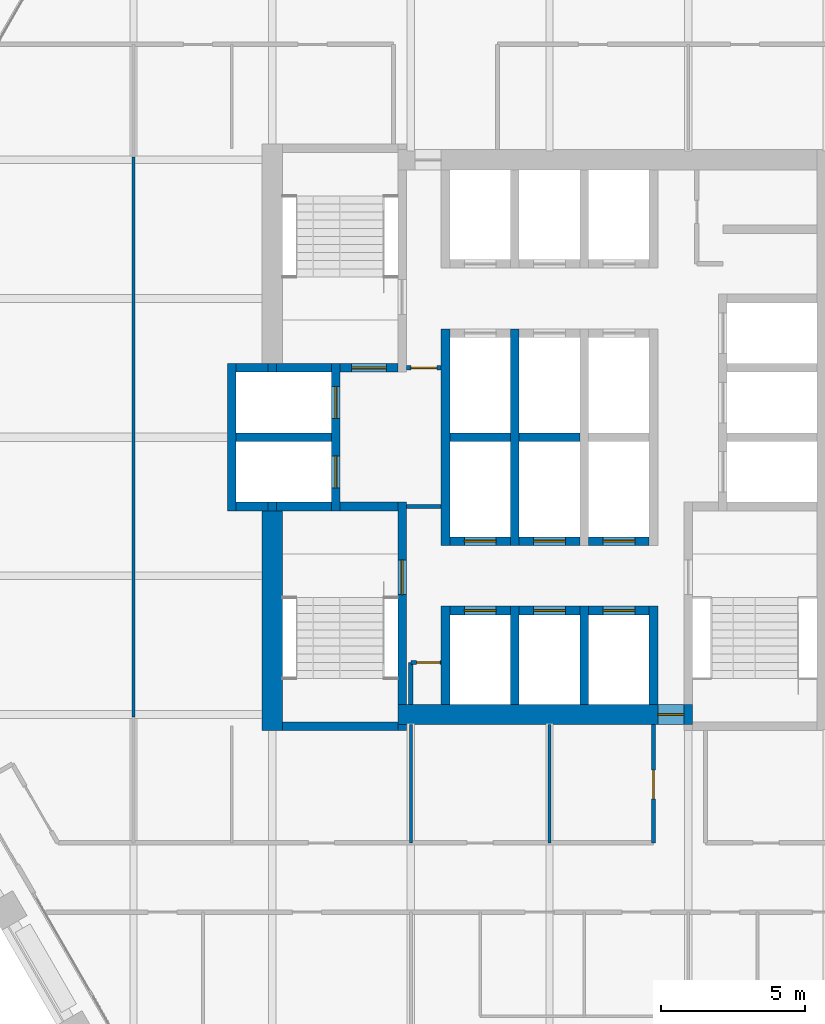
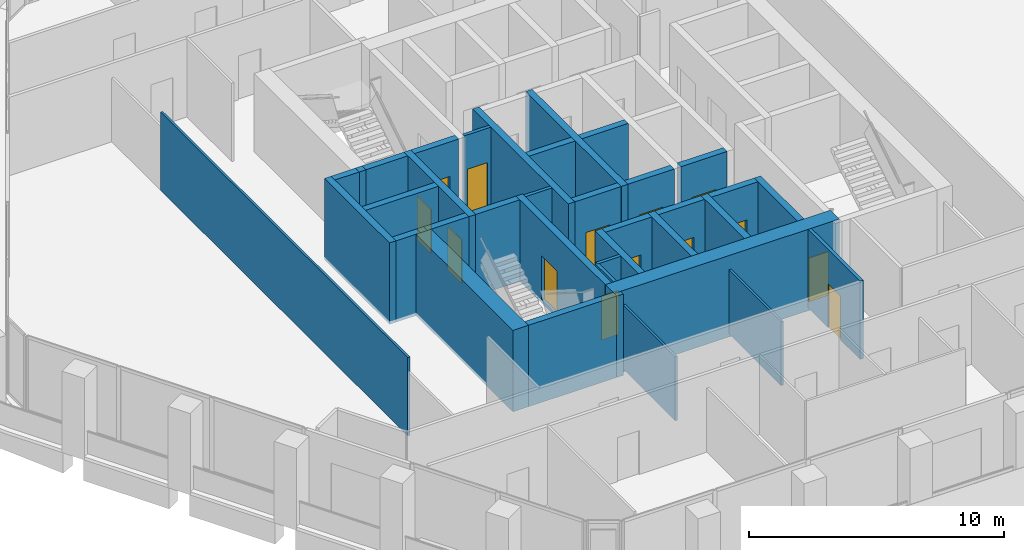
# One storey, part 10 of 16: 38 walls, 14 doors, 14 openings.
"""IFC4 building model written with IfcOpenShell, lengths in metres."""

from ifc_helpers import new_model, si_unit, direction, frame, frame_2d, origin, place, context, subcontext, project, spatial, rectangle, extrude, material, layer, layer_set, type_object, element, fill, save


model = new_model("IFC4")

# Units and contexts
model_context = context("Model", 3, precision=1e-05, world=origin(), true_north=direction((0.0, 1.0)))
body_context = subcontext(model_context, "Body", "Model", "MODEL_VIEW")
ifc_project = project(units=[si_unit("LENGTHUNIT", "METRE"), si_unit("AREAUNIT", "SQUARE_METRE"), si_unit("VOLUMEUNIT", "CUBIC_METRE"), si_unit("PLANEANGLEUNIT", "RADIAN"), si_unit("MASSUNIT", "GRAM", prefix="KILO")], contexts=[model_context])

# Site, building, storey
site_placement = place(None, origin())
site = spatial("IfcSite", under=ifc_project, at=site_placement, CompositionType="ELEMENT")
building_placement = place(site_placement, origin())
building = spatial("IfcBuilding", under=site, at=building_placement, Name="Kolab Exchange Tower", CompositionType="ELEMENT")
storey_placement = place(building_placement, frame((0.0, 0.0, 177.800048828125)))
storey = spatial("IfcBuildingStorey", under=building, at=storey_placement, Name="L37", CompositionType="ELEMENT", Elevation=177.800048828125)

# Wall, opening, door
ifc_material_1 = material(Name="Concrete C60/75", Category="concrete")
ifc_layer_1 = layer(ifc_material_1, 0.699951171875)
ifc_layer_set_1 = layer_set([ifc_layer_1], Name="Concrete C60/75")
wall_type_1 = type_object("IfcWallType", Name="CORE WALL 700 C60/75", PredefinedType="SHEAR", material=ifc_layer_set_1)
wall_1_placement = place(storey_placement, frame((-5.25, -9.60009765625, -0.150146484375), z_axis=(0.0, 0.0, 1.0), x_axis=(1.0, 0.0, 0.0)))
wall_1 = element("IfcWall", 1, at=wall_1_placement, inside=storey, type_object=wall_type_1, Name="wall/L37/core/002", PredefinedType="SHEAR", context=body_context, shape_type="SweptSolid", body=[
    extrude(rectangle(XDim=10.199951171875, YDim=0.699951171875, at=frame_2d((5.10009765625, 0.0))), origin(), (0.0, 0.0, 1.0), 3.900146484375),
])
opening_1_placement = place(wall_1_placement, frame((9.0, 0.0, 0.14990234375)))
opening_1 = element("IfcOpeningElement", 2, at=opening_1_placement, cuts=wall_1, Name="Opening D6-287", PredefinedType="OPENING", context=body_context, shape_type="SweptSolid", body=[
    extrude(rectangle(XDim=0.89990234375, YDim=2.10009765625, at=frame_2d((0.449951171875, 1.050048828125))), frame((0.0, 0.35986328125, 0.0), z_axis=(0.0, -1.0, 0.0), x_axis=(1.0, 0.0, 0.0)), (0.0, 0.0, 1.0), 0.719970703125),
])
ifc_material_2 = material(Name="Steel S235", Category="steel")
door_type_1 = type_object("IfcDoorType", Name="CORE DOOR 900 EI 120", OperationType="SINGLE_SWING_LEFT", PredefinedType="DOOR", material=ifc_material_2)
door_1_placement = place(opening_1_placement, origin())
door_1 = element("IfcDoor", 3, at=door_1_placement, inside=storey, type_object=door_type_1, Name="Core lobby door", OperationType="SINGLE_SWING_LEFT", OverallHeight=2.10009765625, OverallWidth=0.89990234375, PredefinedType="DOOR", context=body_context, shape_type="SweptSolid", body=[
    extrude(rectangle(XDim=0.89990234375, YDim=2.10009765625, at=frame_2d((0.449951171875, 1.050048828125))), frame((0.0, 0.02490234375, 0.0), z_axis=(0.0, -1.0, 0.0), x_axis=(1.0, 0.0, 0.0)), (0.0, 0.0, 1.0), 0.050048828125),
])
fill(opening_1, door_1)

# Wall
wall_2_placement = place(storey_placement, frame((-9.60009765625, -10.14990234375, -0.150146484375), z_axis=(0.0, 0.0, 1.0), x_axis=(0.0, 1.0, 0.0)))
element("IfcWall", 4, at=wall_2_placement, inside=storey, type_object=wall_type_1, Name="wall/L37/core/034", PredefinedType="SHEAR", context=body_context, shape_type="SweptSolid", body=[
    extrude(rectangle(XDim=7.599853515625, YDim=0.699951171875, at=frame_2d((3.7998046875, 0.0))), origin(), (0.0, 0.0, 1.0), 3.900146484375),
])

# Wall, opening, door
ifc_material_3 = material(Name="Concrete C50/60", Category="concrete")
ifc_layer_2 = layer(ifc_material_3, 0.300048828125)
ifc_layer_set_2 = layer_set([ifc_layer_2], Name="Concrete C50/60")
wall_type_2 = type_object("IfcWallType", Name="LIFT SHAFT WALL 300 C50/60", PredefinedType="STANDARD", material=ifc_layer_set_2)
wall_3_placement = place(storey_placement, frame((-3.449951171875, -6.0, -0.150146484375), z_axis=(0.0, 0.0, 1.0), x_axis=(1.0, 0.0, 0.0)))
wall_3 = element("IfcWall", 5, at=wall_3_placement, inside=storey, type_object=wall_type_2, Name="wall/L37/core/003", PredefinedType="STANDARD", context=body_context, shape_type="SweptSolid", body=[
    extrude(rectangle(XDim=2.099853515625, YDim=0.300048828125, at=frame_2d((1.0498046875, 0.0))), origin(), (0.0, 0.0, 1.0), 3.900146484375),
])
opening_2_placement = place(wall_3_placement, frame((0.5, 0.0, 0.14990234375)))
opening_2 = element("IfcOpeningElement", 6, at=opening_2_placement, cuts=wall_3, Name="Opening LD1-110", PredefinedType="OPENING", context=body_context, shape_type="SweptSolid", body=[
    extrude(rectangle(XDim=1.10009765625, YDim=2.10009765625, at=frame_2d((0.550048828125, 1.050048828125))), frame((0.0, 0.16015625, 0.0), z_axis=(0.0, -1.0, 0.0), x_axis=(1.0, 0.0, 0.0)), (0.0, 0.0, 1.0), 0.320068359375),
])
ifc_material_4 = material(Name="Stainless steel 316", Category="steel")
door_type_2 = type_object("IfcDoorType", Name="LANDING DOOR 1100 PASSENGER", OperationType="DOUBLE_DOOR_SLIDING", PredefinedType="DOOR", material=ifc_material_4)
door_2_placement = place(opening_2_placement, origin())
door_2 = element("IfcDoor", 7, at=door_2_placement, inside=storey, type_object=door_type_2, Name="Landing door HR10", OperationType="DOUBLE_DOOR_SLIDING", OverallHeight=2.10009765625, OverallWidth=1.10009765625, PredefinedType="DOOR", context=body_context, shape_type="SweptSolid", body=[
    extrude(rectangle(XDim=1.10009765625, YDim=2.10009765625, at=frame_2d((0.550048828125, 1.050048828125))), frame((0.0, 0.02490234375, 0.0), z_axis=(0.0, -1.0, 0.0), x_axis=(1.0, 0.0, 0.0)), (0.0, 0.0, 1.0), 0.050048828125),
])
fill(opening_2, door_2)

wall_4_placement = place(storey_placement, frame((-1.050048828125, -6.0, -0.150146484375), z_axis=(0.0, 0.0, 1.0), x_axis=(1.0, 0.0, 0.0)))
wall_4 = element("IfcWall", 8, at=wall_4_placement, inside=storey, type_object=wall_type_2, Name="wall/L37/core/004", PredefinedType="STANDARD", context=body_context, shape_type="SweptSolid", body=[
    extrude(rectangle(XDim=2.10009765625, YDim=0.300048828125, at=frame_2d((1.050048828125, 0.0))), origin(), (0.0, 0.0, 1.0), 3.900146484375),
])
opening_3_placement = place(wall_4_placement, frame((0.5, 0.0, 0.14990234375)))
opening_3 = element("IfcOpeningElement", 9, at=opening_3_placement, cuts=wall_4, Name="Opening LD1-111", PredefinedType="OPENING", context=body_context, shape_type="SweptSolid", body=[
    extrude(rectangle(XDim=1.10009765625, YDim=2.10009765625, at=frame_2d((0.550048828125, 1.050048828125))), frame((0.0, 0.16015625, 0.0), z_axis=(0.0, -1.0, 0.0), x_axis=(1.0, 0.0, 0.0)), (0.0, 0.0, 1.0), 0.320068359375),
])
door_3_placement = place(opening_3_placement, origin())
door_3 = element("IfcDoor", 10, at=door_3_placement, inside=storey, type_object=door_type_2, Name="Landing door HR11", OperationType="DOUBLE_DOOR_SLIDING", OverallHeight=2.10009765625, OverallWidth=1.10009765625, PredefinedType="DOOR", context=body_context, shape_type="SweptSolid", body=[
    extrude(rectangle(XDim=1.10009765625, YDim=2.10009765625, at=frame_2d((0.550048828125, 1.050048828125))), frame((0.0, 0.02490234375, 0.0), z_axis=(0.0, -1.0, 0.0), x_axis=(1.0, 0.0, 0.0)), (0.0, 0.0, 1.0), 0.050048828125),
])
fill(opening_3, door_3)

wall_5_placement = place(storey_placement, frame((1.35009765625, -6.0, -0.150146484375), z_axis=(0.0, 0.0, 1.0), x_axis=(1.0, 0.0, 0.0)))
wall_5 = element("IfcWall", 11, at=wall_5_placement, inside=storey, type_object=wall_type_2, Name="wall/L37/core/005", PredefinedType="STANDARD", context=body_context, shape_type="SweptSolid", body=[
    extrude(rectangle(XDim=2.099853515625, YDim=0.300048828125, at=frame_2d((1.0498046875, 0.0))), origin(), (0.0, 0.0, 1.0), 3.900146484375),
])
opening_4_placement = place(wall_5_placement, frame((0.5, 0.0, 0.14990234375)))
opening_4 = element("IfcOpeningElement", 12, at=opening_4_placement, cuts=wall_5, Name="Opening LD1-112", PredefinedType="OPENING", context=body_context, shape_type="SweptSolid", body=[
    extrude(rectangle(XDim=1.10009765625, YDim=2.10009765625, at=frame_2d((0.550048828125, 1.050048828125))), frame((0.0, 0.16015625, 0.0), z_axis=(0.0, -1.0, 0.0), x_axis=(1.0, 0.0, 0.0)), (0.0, 0.0, 1.0), 0.320068359375),
])
door_4_placement = place(opening_4_placement, origin())
door_4 = element("IfcDoor", 13, at=door_4_placement, inside=storey, type_object=door_type_2, Name="Landing door HR12", OperationType="DOUBLE_DOOR_SLIDING", OverallHeight=2.10009765625, OverallWidth=1.10009765625, PredefinedType="DOOR", context=body_context, shape_type="SweptSolid", body=[
    extrude(rectangle(XDim=1.10009765625, YDim=2.10009765625, at=frame_2d((0.550048828125, 1.050048828125))), frame((0.0, 0.02490234375, 0.0), z_axis=(0.0, -1.0, 0.0), x_axis=(1.0, 0.0, 0.0)), (0.0, 0.0, 1.0), 0.050048828125),
])
fill(opening_4, door_4)

wall_6_placement = place(storey_placement, frame((-3.449951171875, -3.60009765625, -0.150146484375), z_axis=(0.0, 0.0, 1.0), x_axis=(1.0, 0.0, 0.0)))
wall_6 = element("IfcWall", 14, at=wall_6_placement, inside=storey, type_object=wall_type_2, Name="wall/L37/core/006", PredefinedType="STANDARD", context=body_context, shape_type="SweptSolid", body=[
    extrude(rectangle(XDim=2.099853515625, YDim=0.300048828125, at=frame_2d((1.0498046875, 0.0))), origin(), (0.0, 0.0, 1.0), 3.900146484375),
])
opening_5_placement = place(wall_6_placement, frame((0.5, 0.0, 0.14990234375)))
opening_5 = element("IfcOpeningElement", 15, at=opening_5_placement, cuts=wall_6, Name="Opening LD1-118", PredefinedType="OPENING", context=body_context, shape_type="SweptSolid", body=[
    extrude(rectangle(XDim=1.10009765625, YDim=2.10009765625, at=frame_2d((0.550048828125, 1.050048828125))), frame((0.0, 0.16015625, 0.0), z_axis=(0.0, -1.0, 0.0), x_axis=(1.0, 0.0, 0.0)), (0.0, 0.0, 1.0), 0.320068359375),
])
door_5_placement = place(opening_5_placement, origin())
door_5 = element("IfcDoor", 16, at=door_5_placement, inside=storey, type_object=door_type_2, Name="Landing door HR7", OperationType="DOUBLE_DOOR_SLIDING", OverallHeight=2.10009765625, OverallWidth=1.10009765625, PredefinedType="DOOR", context=body_context, shape_type="SweptSolid", body=[
    extrude(rectangle(XDim=1.10009765625, YDim=2.10009765625, at=frame_2d((0.550048828125, 1.050048828125))), frame((0.0, 0.02490234375, 0.0), z_axis=(0.0, -1.0, 0.0), x_axis=(1.0, 0.0, 0.0)), (0.0, 0.0, 1.0), 0.050048828125),
])
fill(opening_5, door_5)

wall_7_placement = place(storey_placement, frame((-1.050048828125, -3.60009765625, -0.150146484375), z_axis=(0.0, 0.0, 1.0), x_axis=(1.0, 0.0, 0.0)))
wall_7 = element("IfcWall", 17, at=wall_7_placement, inside=storey, type_object=wall_type_2, Name="wall/L37/core/007", PredefinedType="STANDARD", context=body_context, shape_type="SweptSolid", body=[
    extrude(rectangle(XDim=2.10009765625, YDim=0.300048828125, at=frame_2d((1.050048828125, 0.0))), origin(), (0.0, 0.0, 1.0), 3.900146484375),
])
opening_6_placement = place(wall_7_placement, frame((0.5, 0.0, 0.14990234375)))
opening_6 = element("IfcOpeningElement", 18, at=opening_6_placement, cuts=wall_7, Name="Opening LD1-119", PredefinedType="OPENING", context=body_context, shape_type="SweptSolid", body=[
    extrude(rectangle(XDim=1.10009765625, YDim=2.10009765625, at=frame_2d((0.550048828125, 1.050048828125))), frame((0.0, 0.16015625, 0.0), z_axis=(0.0, -1.0, 0.0), x_axis=(1.0, 0.0, 0.0)), (0.0, 0.0, 1.0), 0.320068359375),
])
door_6_placement = place(opening_6_placement, origin())
door_6 = element("IfcDoor", 19, at=door_6_placement, inside=storey, type_object=door_type_2, Name="Landing door HR8", OperationType="DOUBLE_DOOR_SLIDING", OverallHeight=2.10009765625, OverallWidth=1.10009765625, PredefinedType="DOOR", context=body_context, shape_type="SweptSolid", body=[
    extrude(rectangle(XDim=1.10009765625, YDim=2.10009765625, at=frame_2d((0.550048828125, 1.050048828125))), frame((0.0, 0.02490234375, 0.0), z_axis=(0.0, -1.0, 0.0), x_axis=(1.0, 0.0, 0.0)), (0.0, 0.0, 1.0), 0.050048828125),
])
fill(opening_6, door_6)

wall_8_placement = place(storey_placement, frame((1.35009765625, -3.60009765625, -0.150146484375), z_axis=(0.0, 0.0, 1.0), x_axis=(1.0, 0.0, 0.0)))
wall_8 = element("IfcWall", 20, at=wall_8_placement, inside=storey, type_object=wall_type_2, Name="wall/L37/core/008", PredefinedType="STANDARD", context=body_context, shape_type="SweptSolid", body=[
    extrude(rectangle(XDim=2.099853515625, YDim=0.300048828125, at=frame_2d((1.0498046875, 0.0))), origin(), (0.0, 0.0, 1.0), 3.900146484375),
])
opening_7_placement = place(wall_8_placement, frame((0.5, 0.0, 0.14990234375)))
opening_7 = element("IfcOpeningElement", 21, at=opening_7_placement, cuts=wall_8, Name="Opening LD1-120", PredefinedType="OPENING", context=body_context, shape_type="SweptSolid", body=[
    extrude(rectangle(XDim=1.10009765625, YDim=2.10009765625, at=frame_2d((0.550048828125, 1.050048828125))), frame((0.0, 0.16015625, 0.0), z_axis=(0.0, -1.0, 0.0), x_axis=(1.0, 0.0, 0.0)), (0.0, 0.0, 1.0), 0.320068359375),
])
door_7_placement = place(opening_7_placement, origin())
door_7 = element("IfcDoor", 22, at=door_7_placement, inside=storey, type_object=door_type_2, Name="Landing door HR9", OperationType="DOUBLE_DOOR_SLIDING", OverallHeight=2.10009765625, OverallWidth=1.10009765625, PredefinedType="DOOR", context=body_context, shape_type="SweptSolid", body=[
    extrude(rectangle(XDim=1.10009765625, YDim=2.10009765625, at=frame_2d((0.550048828125, 1.050048828125))), frame((0.0, 0.02490234375, 0.0), z_axis=(0.0, -1.0, 0.0), x_axis=(1.0, 0.0, 0.0)), (0.0, 0.0, 1.0), 0.050048828125),
])
fill(opening_7, door_7)

# Walls
wall_9_placement = place(storey_placement, frame((-10.85009765625, -2.39990234375, -0.150146484375), z_axis=(0.0, 0.0, 1.0), x_axis=(1.0, 0.0, 0.0)))
element("IfcWall", 23, at=wall_9_placement, inside=storey, type_object=wall_type_2, Name="wall/L37/core/009", PredefinedType="STANDARD", context=body_context, shape_type="SweptSolid", body=[
    extrude(rectangle(XDim=1.10009765625, YDim=0.300048828125, at=frame_2d((0.550048828125, 0.0))), origin(), (0.0, 0.0, 1.0), 3.900146484375),
])
wall_10_placement = place(storey_placement, frame((-10.85009765625, 0.0, -0.150146484375), z_axis=(0.0, 0.0, 1.0), x_axis=(1.0, 0.0, 0.0)))
element("IfcWall", 24, at=wall_10_placement, inside=storey, type_object=wall_type_2, Name="wall/L37/core/014", PredefinedType="STANDARD", context=body_context, shape_type="SweptSolid", body=[
    extrude(rectangle(XDim=3.300048828125, YDim=0.300048828125, at=frame_2d((1.64990234375, 0.0))), origin(), (0.0, 0.0, 1.0), 3.900146484375),
])
wall_11_placement = place(storey_placement, frame((-3.449951171875, 0.0, -0.150146484375), z_axis=(0.0, 0.0, 1.0), x_axis=(1.0, 0.0, 0.0)))
element("IfcWall", 25, at=wall_11_placement, inside=storey, type_object=wall_type_2, Name="wall/L37/core/015", PredefinedType="STANDARD", context=body_context, shape_type="SweptSolid", body=[
    extrude(rectangle(XDim=2.099853515625, YDim=0.300048828125, at=frame_2d((1.0498046875, 0.0))), origin(), (0.0, 0.0, 1.0), 3.900146484375),
])
wall_12_placement = place(storey_placement, frame((-1.050048828125, 0.0, -0.150146484375), z_axis=(0.0, 0.0, 1.0), x_axis=(1.0, 0.0, 0.0)))
element("IfcWall", 26, at=wall_12_placement, inside=storey, type_object=wall_type_2, Name="wall/L37/core/016", PredefinedType="STANDARD", context=body_context, shape_type="SweptSolid", body=[
    extrude(rectangle(XDim=2.10009765625, YDim=0.300048828125, at=frame_2d((1.050048828125, 0.0))), origin(), (0.0, 0.0, 1.0), 3.900146484375),
])
wall_13_placement = place(storey_placement, frame((-10.85009765625, 2.39990234375, -0.150146484375), z_axis=(0.0, 0.0, 1.0), x_axis=(1.0, 0.0, 0.0)))
element("IfcWall", 27, at=wall_13_placement, inside=storey, type_object=wall_type_2, Name="wall/L37/core/019", PredefinedType="STANDARD", context=body_context, shape_type="SweptSolid", body=[
    extrude(rectangle(XDim=1.10009765625, YDim=0.300048828125, at=frame_2d((0.550048828125, 0.0))), origin(), (0.0, 0.0, 1.0), 3.900146484375),
])
wall_14_placement = place(storey_placement, frame((-11.0, -2.550048828125, -0.150146484375), z_axis=(0.0, 0.0, 1.0), x_axis=(0.0, 1.0, 0.0)))
element("IfcWall", 28, at=wall_14_placement, inside=storey, type_object=wall_type_2, Name="wall/L37/core/033", PredefinedType="STANDARD", context=body_context, shape_type="SweptSolid", body=[
    extrude(rectangle(XDim=5.10009765625, YDim=0.300048828125, at=frame_2d((2.550048828125, 0.0))), origin(), (0.0, 0.0, 1.0), 3.900146484375),
])

# Wall, openings, doors
wall_15_placement = place(storey_placement, frame((-7.39990234375, -2.550048828125, -0.150146484375), z_axis=(0.0, 0.0, 1.0), x_axis=(0.0, 1.0, 0.0)))
wall_15 = element("IfcWall", 29, at=wall_15_placement, inside=storey, type_object=wall_type_2, Name="wall/L37/core/038", PredefinedType="STANDARD", context=body_context, shape_type="SweptSolid", body=[
    extrude(rectangle(XDim=5.10009765625, YDim=0.300048828125, at=frame_2d((2.550048828125, 0.0))), origin(), (0.0, 0.0, 1.0), 3.900146484375),
])
opening_8_placement = place(wall_15_placement, frame((0.800048828125, 0.0, 0.14990234375)))
opening_8 = element("IfcOpeningElement", 30, at=opening_8_placement, cuts=wall_15, Name="Opening LD2-025", PredefinedType="OPENING", context=body_context, shape_type="SweptSolid", body=[
    extrude(rectangle(XDim=1.10009765625, YDim=2.10009765625, at=frame_2d((0.550048828125, 1.050048828125))), frame((0.0, 0.16015625, 0.0), z_axis=(0.0, -1.0, 0.0), x_axis=(1.0, 0.0, 0.0)), (0.0, 0.0, 1.0), 0.320068359375),
])
opening_9_placement = place(wall_15_placement, frame((3.199951171875, 0.0, 0.14990234375)))
opening_9 = element("IfcOpeningElement", 31, at=opening_9_placement, cuts=wall_15, Name="Opening LD2-026", PredefinedType="OPENING", context=body_context, shape_type="SweptSolid", body=[
    extrude(rectangle(XDim=1.10009765625, YDim=2.10009765625, at=frame_2d((0.550048828125, 1.050048828125))), frame((0.0, 0.16015625, 0.0), z_axis=(0.0, -1.0, 0.0), x_axis=(1.0, 0.0, 0.0)), (0.0, 0.0, 1.0), 0.320068359375),
])
door_type_3 = type_object("IfcDoorType", Name="LANDING DOOR 1100 FIREFIGHTING", OperationType="DOUBLE_DOOR_SLIDING", PredefinedType="DOOR", material=ifc_material_4)
door_8_placement = place(opening_8_placement, origin())
door_8 = element("IfcDoor", 32, at=door_8_placement, inside=storey, type_object=door_type_3, Name="Landing door FF1", OperationType="DOUBLE_DOOR_SLIDING", OverallHeight=2.10009765625, OverallWidth=1.10009765625, PredefinedType="DOOR", context=body_context, shape_type="SweptSolid", body=[
    extrude(rectangle(XDim=1.10009765625, YDim=2.10009765625, at=frame_2d((0.550048828125, 1.050048828125))), frame((0.0, 0.02490234375, 0.0), z_axis=(0.0, -1.0, 0.0), x_axis=(1.0, 0.0, 0.0)), (0.0, 0.0, 1.0), 0.050048828125),
])
fill(opening_8, door_8)
door_9_placement = place(opening_9_placement, origin())
door_9 = element("IfcDoor", 33, at=door_9_placement, inside=storey, type_object=door_type_3, Name="Landing door FF2", OperationType="DOUBLE_DOOR_SLIDING", OverallHeight=2.10009765625, OverallWidth=1.10009765625, PredefinedType="DOOR", context=body_context, shape_type="SweptSolid", body=[
    extrude(rectangle(XDim=1.10009765625, YDim=2.10009765625, at=frame_2d((0.550048828125, 1.050048828125))), frame((0.0, 0.02490234375, 0.0), z_axis=(0.0, -1.0, 0.0), x_axis=(1.0, 0.0, 0.0)), (0.0, 0.0, 1.0), 0.050048828125),
])
fill(opening_9, door_9)

# Walls
wall_16_placement = place(storey_placement, frame((-3.60009765625, -9.25, -0.150146484375), z_axis=(0.0, 0.0, 1.0), x_axis=(0.0, 1.0, 0.0)))
element("IfcWall", 34, at=wall_16_placement, inside=storey, type_object=wall_type_2, Name="wall/L37/core/043", PredefinedType="STANDARD", context=body_context, shape_type="SweptSolid", body=[
    extrude(rectangle(XDim=3.39990234375, YDim=0.300048828125, at=frame_2d((1.699951171875, 0.0))), origin(), (0.0, 0.0, 1.0), 3.900146484375),
])
wall_17_placement = place(storey_placement, frame((-3.60009765625, -3.75, -0.150146484375), z_axis=(0.0, 0.0, 1.0), x_axis=(0.0, 1.0, 0.0)))
element("IfcWall", 35, at=wall_17_placement, inside=storey, type_object=wall_type_2, Name="wall/L37/core/044", PredefinedType="STANDARD", context=body_context, shape_type="SweptSolid", body=[
    extrude(rectangle(XDim=7.5, YDim=0.300048828125, at=frame_2d((3.75, 0.0))), origin(), (0.0, 0.0, 1.0), 3.900146484375),
])
wall_18_placement = place(storey_placement, frame((-1.199951171875, -9.25, -0.150146484375), z_axis=(0.0, 0.0, 1.0), x_axis=(0.0, 1.0, 0.0)))
element("IfcWall", 36, at=wall_18_placement, inside=storey, type_object=wall_type_2, Name="wall/L37/core/046", PredefinedType="STANDARD", context=body_context, shape_type="SweptSolid", body=[
    extrude(rectangle(XDim=3.39990234375, YDim=0.300048828125, at=frame_2d((1.699951171875, 0.0))), origin(), (0.0, 0.0, 1.0), 3.900146484375),
])
wall_19_placement = place(storey_placement, frame((-1.199951171875, -3.75, -0.150146484375), z_axis=(0.0, 0.0, 1.0), x_axis=(0.0, 1.0, 0.0)))
element("IfcWall", 37, at=wall_19_placement, inside=storey, type_object=wall_type_2, Name="wall/L37/core/047", PredefinedType="STANDARD", context=body_context, shape_type="SweptSolid", body=[
    extrude(rectangle(XDim=7.5, YDim=0.300048828125, at=frame_2d((3.75, 0.0))), origin(), (0.0, 0.0, 1.0), 3.900146484375),
])
for number, where, z_axis, x_axis, name in (
    (38, (1.199951171875, -9.25, -0.150146484375), (0.0, 0.0, 1.0), (0.0, 1.0, 0.0), "wall/L37/core/049"),
    (39, (3.60009765625, -9.25, -0.150146484375), (0.0, 0.0, 1.0), (0.0, 1.0, 0.0), "wall/L37/core/052"),
):
    element("IfcWall", number, at=place(storey_placement, frame(where, z_axis=z_axis, x_axis=x_axis)), inside=storey, type_object=wall_type_2, Name=name, PredefinedType="STANDARD", context=body_context, shape_type="SweptSolid", body=[
        extrude(rectangle(XDim=3.39990234375, YDim=0.300048828125, at=frame_2d((1.699951171875, 0.0))), origin(), (0.0, 0.0, 1.0), 3.900146484375),
    ])
ifc_material_5 = material(Name="Gypsum board", Category="gypsum")
ifc_layer_3 = layer(ifc_material_5, 0.10009765625)
ifc_layer_set_3 = layer_set([ifc_layer_3], Name="Gypsum board")
wall_type_3 = type_object("IfcWallType", Name="PARTITION 100", PredefinedType="PARTITIONING", material=ifc_layer_set_3)
for number, where, z_axis, x_axis, name in (
    (40, (0.0, -14.04150390625, 0.0), (0.0, 0.0, 1.0), (0.0, 1.0, 0.0), "Partition 015"),
    (41, (-4.800048828125, -14.04150390625, 0.0), (0.0, 0.0, 1.0), (0.0, 1.0, 0.0), "Partition 020"),
):
    element("IfcWall", number, at=place(storey_placement, frame(where, z_axis=z_axis, x_axis=x_axis)), inside=storey, type_object=wall_type_3, Name=name, PredefinedType="PARTITIONING", context=body_context, shape_type="SweptSolid", body=[
        extrude(rectangle(XDim=4.091552734375, YDim=0.10009765625, at=frame_2d((2.0458984375, 0.0))), origin(), (0.0, 0.0, 1.0), 3.06591796875),
    ])
wall_20_placement = place(storey_placement, frame((-14.39990234375, -9.693603515625, 0.0), z_axis=(0.0, 0.0, 1.0), x_axis=(0.0, 1.0, 0.0)))
element("IfcWall", 42, at=wall_20_placement, inside=storey, type_object=wall_type_3, Name="Partition 029", PredefinedType="PARTITIONING", context=body_context, shape_type="SweptSolid", body=[
    extrude(rectangle(XDim=19.38720703125, YDim=0.10009765625, at=frame_2d((9.693603515625, 0.0))), origin(), (0.0, 0.0, 1.0), 3.75),
])

# Wall, opening, door
ifc_layer_4 = layer(ifc_material_5, 0.14990234375)
ifc_layer_set_4 = layer_set([ifc_layer_4], Name="Gypsum board")
wall_type_4 = type_object("IfcWallType", Name="PARTITION 150 FIRE-RATED", PredefinedType="PARTITIONING", material=ifc_layer_set_4)
wall_21_placement = place(storey_placement, frame((3.60009765625, -14.04150390625, 0.0), z_axis=(0.0, 0.0, 1.0), x_axis=(0.0, 1.0, 0.0)))
wall_21 = element("IfcWall", 43, at=wall_21_placement, inside=storey, type_object=wall_type_4, Name="Partition 012", PredefinedType="PARTITIONING", context=body_context, shape_type="SweptSolid", body=[
    extrude(rectangle(XDim=4.091552734375, YDim=0.14990234375, at=frame_2d((2.0458984375, 0.0))), origin(), (0.0, 0.0, 1.0), 3.75),
])
opening_10_placement = place(wall_21_placement, frame((1.520751953125, 0.0, 0.0)))
opening_10 = element("IfcOpeningElement", 44, at=opening_10_placement, cuts=wall_21, Name="Opening D1-476", PredefinedType="OPENING", context=body_context, shape_type="SweptSolid", body=[
    extrude(rectangle(XDim=1.0, YDim=2.10009765625, at=frame_2d((0.5, 1.050048828125))), frame((0.0, 0.0849609375, 0.0), z_axis=(0.0, -1.0, 0.0), x_axis=(1.0, 0.0, 0.0)), (0.0, 0.0, 1.0), 0.169921875),
])
door_type_4 = type_object("IfcDoorType", Name="FLUSH DOOR 1000 FD60", OperationType="SINGLE_SWING_LEFT", PredefinedType="DOOR", material=ifc_material_2)
door_10_placement = place(opening_10_placement, origin())
door_10 = element("IfcDoor", 45, at=door_10_placement, inside=storey, type_object=door_type_4, Name="Door L37-037", OperationType="SINGLE_SWING_RIGHT", OverallHeight=2.10009765625, OverallWidth=1.0, PredefinedType="DOOR", context=body_context, shape_type="SweptSolid", body=[
    extrude(rectangle(XDim=1.0, YDim=2.10009765625, at=frame_2d((0.5, 1.050048828125))), frame((0.0, 0.02490234375, 0.0), z_axis=(0.0, -1.0, 0.0), x_axis=(1.0, 0.0, 0.0)), (0.0, 0.0, 1.0), 0.050048828125),
])
fill(opening_10, door_10)

# Wall
wall_22_placement = place(storey_placement, frame((-4.800048828125, -9.25, 0.0), z_axis=(0.0, 0.0, 1.0), x_axis=(0.0, 1.0, 0.0)))
element("IfcWall", 46, at=wall_22_placement, inside=storey, type_object=wall_type_4, Name="Partition 022", PredefinedType="PARTITIONING", context=body_context, shape_type="SweptSolid", body=[
    extrude(rectangle(XDim=1.449951171875, YDim=0.14990234375, at=frame_2d((0.72509765625, 0.0))), origin(), (0.0, 0.0, 1.0), 3.75),
])

# Wall, opening, door
wall_23_placement = place(storey_placement, frame((-4.800048828125, -7.800048828125, 0.0), z_axis=(0.0, 0.0, 1.0), x_axis=(1.0, 0.0, 0.0)))
wall_23 = element("IfcWall", 47, at=wall_23_placement, inside=storey, type_object=wall_type_4, Name="Partition 038", PredefinedType="PARTITIONING", context=body_context, shape_type="SweptSolid", body=[
    extrude(rectangle(XDim=1.050048828125, YDim=0.14990234375, at=frame_2d((0.52490234375, 0.0))), origin(), (0.0, 0.0, 1.0), 3.75),
])
opening_11_placement = place(wall_23_placement, frame((0.199951171875, 0.0, 0.0)))
opening_11 = element("IfcOpeningElement", 48, at=opening_11_placement, cuts=wall_23, Name="Opening D7-031", PredefinedType="OPENING", context=body_context, shape_type="SweptSolid", body=[
    extrude(rectangle(XDim=0.800048828125, YDim=2.10009765625, at=frame_2d((0.39990234375, 1.050048828125))), frame((0.0, 0.0849609375, 0.0), z_axis=(0.0, -1.0, 0.0), x_axis=(1.0, 0.0, 0.0)), (0.0, 0.0, 1.0), 0.169921875),
])
door_type_5 = type_object("IfcDoorType", Name="FLUSH DOOR 800 FD60", OperationType="SINGLE_SWING_LEFT", PredefinedType="DOOR", material=ifc_material_2)
door_11_placement = place(opening_11_placement, frame((0.800048828125, 0.0, 0.0), z_axis=(0.0, 0.0, 1.0), x_axis=(-1.0, 0.0, 0.0)))
door_11 = element("IfcDoor", 49, at=door_11_placement, inside=storey, type_object=door_type_5, Name="Door L37-024", OperationType="SINGLE_SWING_RIGHT", OverallHeight=2.10009765625, OverallWidth=0.800048828125, PredefinedType="DOOR", context=body_context, shape_type="SweptSolid", body=[
    extrude(rectangle(XDim=0.800048828125, YDim=2.10009765625, at=frame_2d((0.39990234375, 1.050048828125))), frame((0.0, 0.02490234375, 0.0), z_axis=(0.0, -1.0, 0.0), x_axis=(1.0, 0.0, 0.0)), (0.0, 0.0, 1.0), 0.050048828125),
])
fill(opening_11, door_11)

wall_24_placement = place(storey_placement, frame((-4.949951171875, 2.39990234375, 0.0), z_axis=(0.0, 0.0, 1.0), x_axis=(1.0, 0.0, 0.0)))
wall_24 = element("IfcWall", 50, at=wall_24_placement, inside=storey, type_object=wall_type_4, Name="Fire partition", PredefinedType="PARTITIONING", context=body_context, shape_type="SweptSolid", body=[
    extrude(rectangle(XDim=1.199951171875, YDim=0.14990234375, at=frame_2d((0.60009765625, 0.0))), origin(), (0.0, 0.0, 1.0), 3.75),
])
opening_12_placement = place(wall_24_placement, frame((0.14990234375, 0.0, 0.0)))
opening_12 = element("IfcOpeningElement", 51, at=opening_12_placement, cuts=wall_24, Name="Opening D6-288", PredefinedType="OPENING", context=body_context, shape_type="SweptSolid", body=[
    extrude(rectangle(XDim=0.89990234375, YDim=2.10009765625, at=frame_2d((0.449951171875, 1.050048828125))), frame((0.0, 0.0849609375, 0.0), z_axis=(0.0, -1.0, 0.0), x_axis=(1.0, 0.0, 0.0)), (0.0, 0.0, 1.0), 0.169921875),
])
door_12_placement = place(opening_12_placement, frame((0.89990234375, 0.0, 0.0), z_axis=(0.0, 0.0, 1.0), x_axis=(-1.0, 0.0, 0.0)))
door_12 = element("IfcDoor", 52, at=door_12_placement, inside=storey, type_object=door_type_1, Name="Firefighting lobby door", OperationType="SINGLE_SWING_RIGHT", OverallHeight=2.10009765625, OverallWidth=0.89990234375, PredefinedType="DOOR", context=body_context, shape_type="SweptSolid", body=[
    extrude(rectangle(XDim=0.89990234375, YDim=2.10009765625, at=frame_2d((0.449951171875, 1.050048828125))), frame((0.0, 0.02490234375, 0.0), z_axis=(0.0, -1.0, 0.0), x_axis=(1.0, 0.0, 0.0)), (0.0, 0.0, 1.0), 0.050048828125),
])
fill(opening_12, door_12)

# Walls
wall_25_placement = place(storey_placement, frame((-4.949951171875, -2.39990234375, 0.0), z_axis=(0.0, 0.0, 1.0), x_axis=(1.0, 0.0, 0.0)))
element("IfcWall", 53, at=wall_25_placement, inside=storey, type_object=wall_type_4, Name="Fire partition", PredefinedType="PARTITIONING", context=body_context, shape_type="SweptSolid", body=[
    extrude(rectangle(XDim=1.199951171875, YDim=0.14990234375, at=frame_2d((0.60009765625, 0.0))), origin(), (0.0, 0.0, 1.0), 3.75),
])
ifc_layer_5 = layer(ifc_material_3, 0.300048828125)
ifc_layer_set_5 = layer_set([ifc_layer_5], Name="Concrete C50/60")
wall_type_5 = type_object("IfcWallType", Name="STAIR ENCLOSURE WALL 300 C50/60", PredefinedType="STANDARD", material=ifc_layer_set_5)
wall_26_placement = place(storey_placement, frame((-9.25, -10.0, -0.150146484375), z_axis=(0.0, 0.0, 1.0), x_axis=(1.0, 0.0, 0.0)))
element("IfcWall", 54, at=wall_26_placement, inside=storey, type_object=wall_type_5, Name="wall/L37/core/000", PredefinedType="STANDARD", context=body_context, shape_type="SweptSolid", body=[
    extrude(rectangle(XDim=4.0, YDim=0.300048828125, at=frame_2d((2.0, 0.0))), origin(), (0.0, 0.0, 1.0), 3.900146484375),
])
wall_27_placement = place(storey_placement, frame((-9.449951171875, -2.39990234375, -0.150146484375), z_axis=(0.0, 0.0, 1.0), x_axis=(1.0, 0.0, 0.0)))
element("IfcWall", 55, at=wall_27_placement, inside=storey, type_object=wall_type_5, Name="wall/L37/core/010", PredefinedType="STANDARD", context=body_context, shape_type="SweptSolid", body=[
    extrude(rectangle(XDim=1.89990234375, YDim=0.300048828125, at=frame_2d((0.949951171875, 0.0))), origin(), (0.0, 0.0, 1.0), 3.900146484375),
])
wall_28_placement = place(storey_placement, frame((-7.25, -2.39990234375, -0.150146484375), z_axis=(0.0, 0.0, 1.0), x_axis=(1.0, 0.0, 0.0)))
element("IfcWall", 56, at=wall_28_placement, inside=storey, type_object=wall_type_5, Name="wall/L37/core/011", PredefinedType="STANDARD", context=body_context, shape_type="SweptSolid", body=[
    extrude(rectangle(XDim=2.0, YDim=0.300048828125, at=frame_2d((1.0, 0.0))), origin(), (0.0, 0.0, 1.0), 3.900146484375),
])
wall_29_placement = place(storey_placement, frame((-9.449951171875, 2.39990234375, -0.150146484375), z_axis=(0.0, 0.0, 1.0), x_axis=(1.0, 0.0, 0.0)))
element("IfcWall", 57, at=wall_29_placement, inside=storey, type_object=wall_type_5, Name="wall/L37/core/020", PredefinedType="STANDARD", context=body_context, shape_type="SweptSolid", body=[
    extrude(rectangle(XDim=1.89990234375, YDim=0.300048828125, at=frame_2d((0.949951171875, 0.0))), origin(), (0.0, 0.0, 1.0), 3.900146484375),
])

# Wall, opening, door
wall_30_placement = place(storey_placement, frame((-7.25, 2.39990234375, -0.150146484375), z_axis=(0.0, 0.0, 1.0), x_axis=(1.0, 0.0, 0.0)))
wall_30 = element("IfcWall", 58, at=wall_30_placement, inside=storey, type_object=wall_type_5, Name="wall/L37/core/021", PredefinedType="STANDARD", context=body_context, shape_type="SweptSolid", body=[
    extrude(rectangle(XDim=2.0, YDim=0.300048828125, at=frame_2d((1.0, 0.0))), origin(), (0.0, 0.0, 1.0), 3.900146484375),
])
opening_13_placement = place(wall_30_placement, frame((0.39990234375, 0.0, 0.14990234375)))
opening_13 = element("IfcOpeningElement", 59, at=opening_13_placement, cuts=wall_30, Name="Opening D4-065", PredefinedType="OPENING", context=body_context, shape_type="SweptSolid", body=[
    extrude(rectangle(XDim=1.199951171875, YDim=2.10009765625, at=frame_2d((0.60009765625, 1.050048828125))), frame((0.0, 0.16015625, 0.0), z_axis=(0.0, -1.0, 0.0), x_axis=(1.0, 0.0, 0.0)), (0.0, 0.0, 1.0), 0.320068359375),
])
door_type_6 = type_object("IfcDoorType", Name="STAIR DOOR 1200 EI 120", OperationType="SINGLE_SWING_LEFT", PredefinedType="DOOR", material=ifc_material_2)
door_13_placement = place(opening_13_placement, origin())
door_13 = element("IfcDoor", 60, at=door_13_placement, inside=storey, type_object=door_type_6, Name="Stair 1 door", OperationType="SINGLE_SWING_RIGHT", OverallHeight=2.10009765625, OverallWidth=1.199951171875, PredefinedType="DOOR", context=body_context, shape_type="SweptSolid", body=[
    extrude(rectangle(XDim=1.199951171875, YDim=2.10009765625, at=frame_2d((0.60009765625, 1.050048828125))), frame((0.0, 0.02490234375, 0.0), z_axis=(0.0, -1.0, 0.0), x_axis=(1.0, 0.0, 0.0)), (0.0, 0.0, 1.0), 0.050048828125),
])
fill(opening_13, door_13)

# Walls
for number, where, z_axis, x_axis, name in (
    (61, (-9.60009765625, -2.550048828125, -0.150146484375), (0.0, 0.0, 1.0), (0.0, 1.0, 0.0), "wall/L37/core/035"),
    (62, (-9.60009765625, 2.25, -0.150146484375), (0.0, 0.0, 1.0), (0.0, 1.0, 0.0), "wall/L37/core/036"),
):
    element("IfcWall", number, at=place(storey_placement, frame(where, z_axis=z_axis, x_axis=x_axis)), inside=storey, type_object=wall_type_5, Name=name, PredefinedType="STANDARD", context=body_context, shape_type="SweptSolid", body=[
        extrude(rectangle(XDim=0.300048828125, YDim=0.300048828125, at=frame_2d((0.14990234375, 0.0))), origin(), (0.0, 0.0, 1.0), 3.900146484375),
    ])
wall_31_placement = place(storey_placement, frame((-5.10009765625, -10.14990234375, -0.150146484375), z_axis=(0.0, 0.0, 1.0), x_axis=(0.0, 1.0, 0.0)))
element("IfcWall", 63, at=wall_31_placement, inside=storey, type_object=wall_type_5, Name="wall/L37/core/039", PredefinedType="STANDARD", context=body_context, shape_type="SweptSolid", body=[
    extrude(rectangle(XDim=0.199951171875, YDim=0.300048828125, at=frame_2d((0.10009765625, 0.0))), origin(), (0.0, 0.0, 1.0), 3.900146484375),
])

# Wall, opening, door
wall_32_placement = place(storey_placement, frame((-5.10009765625, -9.25, -0.150146484375), z_axis=(0.0, 0.0, 1.0), x_axis=(0.0, 1.0, 0.0)))
wall_32 = element("IfcWall", 64, at=wall_32_placement, inside=storey, type_object=wall_type_5, Name="wall/L37/core/040", PredefinedType="STANDARD", context=body_context, shape_type="SweptSolid", body=[
    extrude(rectangle(XDim=7.0, YDim=0.300048828125, at=frame_2d((3.5, 0.0))), origin(), (0.0, 0.0, 1.0), 3.900146484375),
])
opening_14_placement = place(wall_32_placement, frame((3.800048828125, 0.0, 0.14990234375)))
opening_14 = element("IfcOpeningElement", 65, at=opening_14_placement, cuts=wall_32, Name="Opening D4-068", PredefinedType="OPENING", context=body_context, shape_type="SweptSolid", body=[
    extrude(rectangle(XDim=1.199951171875, YDim=2.10009765625, at=frame_2d((0.60009765625, 1.050048828125))), frame((0.0, 0.16015625, 0.0), z_axis=(0.0, -1.0, 0.0), x_axis=(1.0, 0.0, 0.0)), (0.0, 0.0, 1.0), 0.320068359375),
])
door_14_placement = place(opening_14_placement, origin())
door_14 = element("IfcDoor", 66, at=door_14_placement, inside=storey, type_object=door_type_6, Name="Stair 3 door", OperationType="SINGLE_SWING_RIGHT", OverallHeight=2.10009765625, OverallWidth=1.199951171875, PredefinedType="DOOR", context=body_context, shape_type="SweptSolid", body=[
    extrude(rectangle(XDim=1.199951171875, YDim=2.10009765625, at=frame_2d((0.60009765625, 1.050048828125))), frame((0.0, 0.02490234375, 0.0), z_axis=(0.0, -1.0, 0.0), x_axis=(1.0, 0.0, 0.0)), (0.0, 0.0, 1.0), 0.050048828125),
])
fill(opening_14, door_14)

save(model, "model.ifc")
